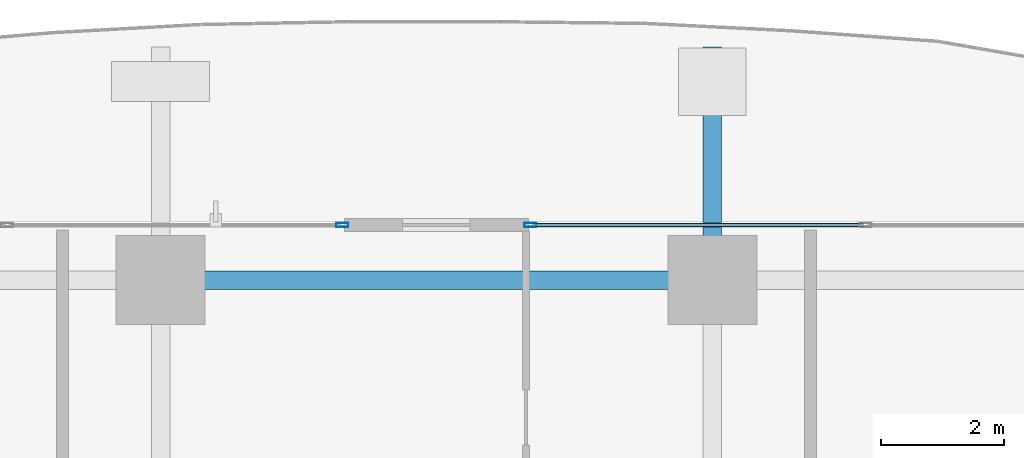
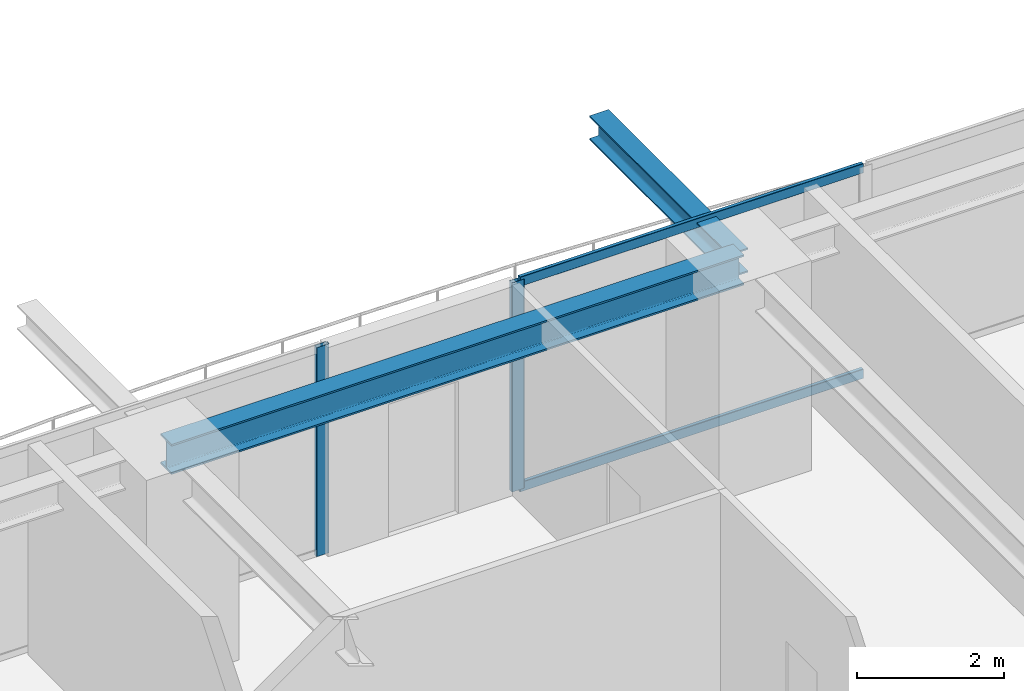
# One storey, part 21 of 38: 4 members, 2 beams, 2 elements without a shape of their own.
"""IFC4 building model written with IfcOpenShell, lengths in metres."""

from ifc_helpers import new_model, si_unit, direction, frame, origin, origin_2d, place, context, subcontext, project, spatial, hollow_rectangle, i_section, extrude, source, transform, mapped, material, layer, layer_set, material_profile, profile_set, type_object, element, aggregate, save


model = new_model("IFC4")

# Units and contexts
model_context = context("Model", 3, precision=1e-05, world=origin(), true_north=direction((0.0, 1.0)))
body_context = subcontext(model_context, "Body", "Model", "MODEL_VIEW")
ifc_project = project(units=[si_unit("LENGTHUNIT", "METRE"), si_unit("AREAUNIT", "SQUARE_METRE"), si_unit("VOLUMEUNIT", "CUBIC_METRE"), si_unit("PLANEANGLEUNIT", "RADIAN"), si_unit("MASSUNIT", "GRAM", prefix="KILO")], contexts=[model_context])

# Site, building, storey
site_placement = place(None, origin())
site = spatial("IfcSite", under=ifc_project, at=site_placement, CompositionType="ELEMENT")
building_placement = place(site_placement, origin())
building = spatial("IfcBuilding", under=site, at=building_placement, Name="Serunith Strait Residences", CompositionType="ELEMENT")
storey_placement = place(building_placement, frame((0.0, 0.0, 30.449951171875)))
storey = spatial("IfcBuildingStorey", under=building, at=storey_placement, Name="L06", CompositionType="ELEMENT", Elevation=30.449951171875)

# Beams
ifc_material_1 = material(Name="Steel S355J2", Category="steel")
ifc_material_profile_1 = material_profile(ifc_material_1, i_section(OverallWidth=0.300048828125, OverallDepth=0.5, WebThickness=0.014404296875, FlangeThickness=0.028076171875, FilletRadius=0.027099609375, at=origin_2d()), Name="HEB 500")
ifc_profile_set_1 = profile_set([ifc_material_profile_1], Name="Steel S355J2")
beam_type_1 = type_object("IfcBeamType", Name="BM-HEB500", PredefinedType="BEAM", material=ifc_profile_set_1)
shared_shape_1 = source(origin(), body_context, "Body", "SweptSolid", [
    extrude(i_section(OverallWidth=0.300048828125, OverallDepth=0.5, WebThickness=0.014404296875, FlangeThickness=0.028076171875, FilletRadius=0.027099609375, at=origin_2d()), origin(), (0.0, 0.0, 1.0), 9.0),
])
beam_1_placement = place(storey_placement, frame((36.89990234375, 49.300048828125, 3.237060546875), z_axis=(-1.0, 0.0, 0.0), x_axis=(0.0, -1.0, 0.0)))
element("IfcBeam", 1, at=beam_1_placement, inside=storey, type_object=beam_type_1, Name="L06 Perimeter Ring Beam 10", PredefinedType="BEAM", context=body_context, shape_type="MappedRepresentation", body=[
    mapped(shared_shape_1, transform((0.0, 0.0, 0.0), scale=1.0)),
])
ifc_material_profile_2 = material_profile(ifc_material_1, i_section(OverallWidth=0.300048828125, OverallDepth=0.39990234375, WebThickness=0.013427734375, FlangeThickness=0.02392578125, FilletRadius=0.027099609375, at=origin_2d()), Name="HEB 400")
ifc_profile_set_2 = profile_set([ifc_material_profile_2], Name="Steel S355J2")
beam_type_2 = type_object("IfcBeamType", Name="BM-HEB400", PredefinedType="BEAM", material=ifc_profile_set_2)
shared_shape_2 = source(origin(), body_context, "Body", "SweptSolid", [
    extrude(i_section(OverallWidth=0.300048828125, OverallDepth=0.39990234375, WebThickness=0.013427734375, FlangeThickness=0.02392578125, FilletRadius=0.027099609375, at=origin_2d()), origin(), (0.0, 0.0, 1.0), 3.800048828125),
])
beam_2_placement = place(storey_placement, frame((36.89990234375, 49.300048828125, 3.257080078125), z_axis=(0.0, 1.0, 0.0), x_axis=(-1.0, 0.0, 0.0)))
element("IfcBeam", 2, at=beam_2_placement, inside=storey, type_object=beam_type_2, Name="L07 Cantilevered Balcony Rib TC-N3", PredefinedType="BEAM", context=body_context, shape_type="MappedRepresentation", body=[
    mapped(shared_shape_2, transform((0.0, 0.0, 0.0), scale=1.0)),
])

# Curtain wall, member
ifc_material_2 = material(Name="Pale-Champagne Anodised Aluminium", Category="aluminium")
ifc_layer = layer(ifc_material_2, 0.199951171875, Name="Pale-Champagne Anodised Aluminium")
ifc_layer_set = layer_set([ifc_layer], Name="Pale-Champagne Anodised Aluminium")
curtain_wall_type = type_object("IfcCurtainWallType", Name="CW-SYS1", PredefinedType="NOTDEFINED", material=ifc_layer_set)
curtain_wall_1_placement = place(storey_placement, origin())
curtain_wall_1 = element("IfcCurtainWall", 3, at=curtain_wall_1_placement, inside=storey, type_object=curtain_wall_type, Name="L06 N Unitised Fritted Curtain Wall", PredefinedType="NOTDEFINED")
ifc_material_profile_3 = material_profile(ifc_material_2, hollow_rectangle(XDim=0.070068359375, YDim=0.199951171875, WallThickness=0.00390625, InnerFilletRadius=0.006103515625, OuterFilletRadius=0.010009765625, at=origin_2d()), Name="ALU 200x70x4")
ifc_profile_set_3 = profile_set([ifc_material_profile_3], Name="Pale-Champagne Anodised Aluminium")
member_type_1 = type_object("IfcMemberType", Name="CW-SYS1-MULL", PredefinedType="MULLION", material=ifc_profile_set_3)
shared_shape_3 = source(origin(), body_context, "Body", "SweptSolid", [
    extrude(hollow_rectangle(XDim=0.070068359375, YDim=0.199951171875, WallThickness=0.00390625, InnerFilletRadius=0.006103515625, OuterFilletRadius=0.010009765625, at=origin_2d()), origin(), (0.0, 0.0, 1.0), 3.47509765625),
])
member_1_placement = place(storey_placement, frame((33.93505859375, 50.199951171875, 0.0), z_axis=(0.0, 0.0, 1.0), x_axis=(0.0, -1.0, 0.0)))
member_1 = element("IfcMember", 4, at=member_1_placement, type_object=member_type_1, Name="CW-1 mullion 4", PredefinedType="MULLION", context=body_context, shape_type="MappedRepresentation", body=[
    mapped(shared_shape_3, transform((0.0, 0.0, 0.0), scale=1.0)),
])

curtain_wall_2_placement = place(storey_placement, origin())
curtain_wall_2 = element("IfcCurtainWall", 5, at=curtain_wall_2_placement, inside=storey, type_object=curtain_wall_type, Name="L06 N Unitised Fritted Curtain Wall", PredefinedType="NOTDEFINED")
member_2_placement = place(storey_placement, frame((30.864990234375, 50.199951171875, 0.0), z_axis=(0.0, 0.0, 1.0), x_axis=(0.0, -1.0, 0.0)))
member_2 = element("IfcMember", 6, at=member_2_placement, type_object=member_type_1, Name="CW-1 mullion 1", PredefinedType="MULLION", context=body_context, shape_type="MappedRepresentation", body=[
    mapped(shared_shape_3, transform((0.0, 0.0, 0.0), scale=1.0)),
])
aggregate(curtain_wall_2, [member_2])

# Member
ifc_material_profile_4 = material_profile(ifc_material_2, hollow_rectangle(XDim=0.06005859375, YDim=0.159912109375, WallThickness=0.00341796875, InnerFilletRadius=0.00537109375, OuterFilletRadius=0.0087890625, at=origin_2d()), Name="ALU 160x60x3.5")
ifc_profile_set_4 = profile_set([ifc_material_profile_4], Name="Pale-Champagne Anodised Aluminium")
member_type_2 = type_object("IfcMemberType", Name="CW-SYS1-TRAN", PredefinedType="USERDEFINED", material=ifc_profile_set_4)
shared_shape_4 = source(origin(), body_context, "Body", "SweptSolid", [
    extrude(hollow_rectangle(XDim=0.06005859375, YDim=0.159912109375, WallThickness=0.00341796875, InnerFilletRadius=0.00537109375, OuterFilletRadius=0.0087890625, at=origin_2d()), origin(), (0.0, 0.0, 1.0), 5.39501953125),
])
member_3_placement = place(storey_placement, frame((39.364990234375, 50.199951171875, 0.030029296875), z_axis=(-1.0, 0.0, 0.0), x_axis=(0.0, -1.0, 0.0)))
member_3 = element("IfcMember", 7, at=member_3_placement, type_object=member_type_2, Name="CW-1 transom 3.1", ObjectType="TRANSOM", PredefinedType="USERDEFINED", context=body_context, shape_type="MappedRepresentation", body=[
    mapped(shared_shape_4, transform((0.0, 0.0, 0.0), scale=1.0)),
])

member_4_placement = place(storey_placement, frame((39.364990234375, 50.199951171875, 3.445068359375), z_axis=(-1.0, 0.0, 0.0), x_axis=(0.0, -1.0, 0.0)))
member_4 = element("IfcMember", 8, at=member_4_placement, type_object=member_type_2, Name="CW-1 transom 3.2", ObjectType="TRANSOM", PredefinedType="USERDEFINED", context=body_context, shape_type="MappedRepresentation", body=[
    mapped(shared_shape_4, transform((0.0, 0.0, 0.0), scale=1.0)),
])

aggregate(curtain_wall_1, [member_1, member_3, member_4])

save(model, "model.ifc")
